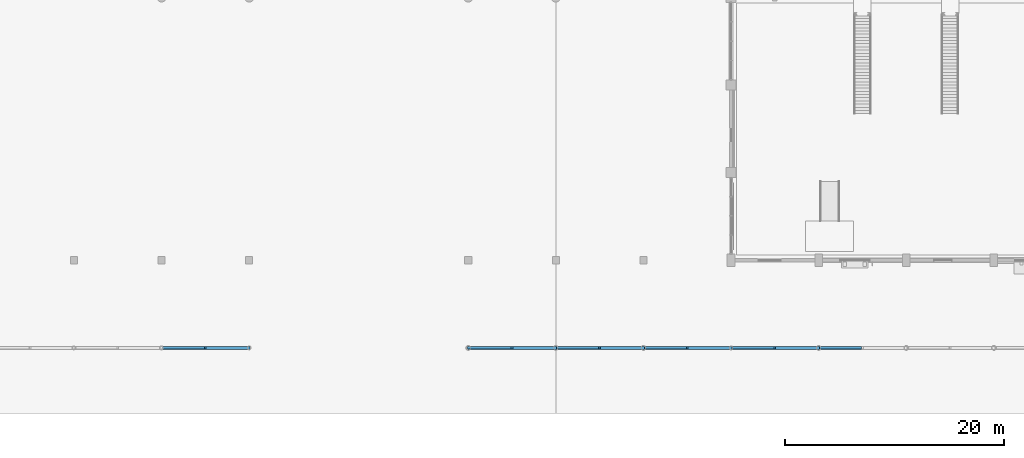
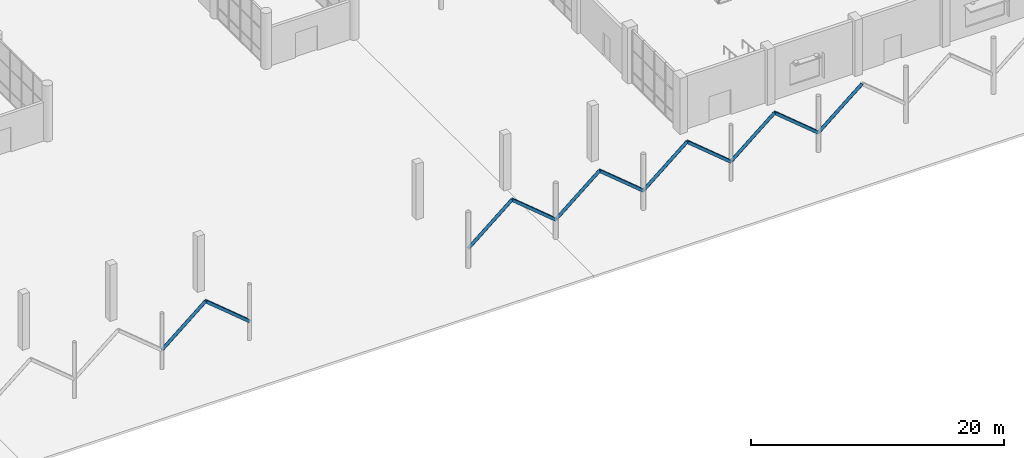
# One storey, part 26 of 123: 11 members.
"""IFC4 building model written with IfcOpenShell, lengths in metres."""

from ifc_helpers import new_model, si_unit, direction, frame, origin, origin_2d, place, context, subcontext, project, spatial, hollow_rectangle, hollow_circle, extrude, material, material_profile, profile_set, type_object, element, save


model = new_model("IFC4")

# Units and contexts
model_context = context("Model", 3, precision=1e-05, world=origin(), true_north=direction((0.0, 1.0)))
body_context = subcontext(model_context, "Body", "Model", "MODEL_VIEW")
ifc_project = project(units=[si_unit("LENGTHUNIT", "METRE"), si_unit("AREAUNIT", "SQUARE_METRE"), si_unit("VOLUMEUNIT", "CUBIC_METRE"), si_unit("PLANEANGLEUNIT", "RADIAN"), si_unit("MASSUNIT", "GRAM", prefix="KILO")], contexts=[model_context])

# Site, building, storey
site_placement = place(None, origin())
site = spatial("IfcSite", under=ifc_project, at=site_placement, CompositionType="ELEMENT")
building_placement = place(site_placement, origin())
building = spatial("IfcBuilding", under=site, at=building_placement, Name="Tenunan Teduh Sports Hall", CompositionType="ELEMENT")
storey_placement = place(building_placement, origin())
storey = spatial("IfcBuildingStorey", under=building, at=storey_placement, Name="L00", CompositionType="ELEMENT", Elevation=0.0)

# Members
ifc_material_1 = material(Name="Steel S355", Category="steel")
ifc_material_profile_1 = material_profile(ifc_material_1, hollow_circle(Radius=0.136474609375, WallThickness=0.010009765625, at=origin_2d()), Name="CHS 273.0x10.0")
ifc_profile_set_1 = profile_set([ifc_material_profile_1], Name="Steel S355")
member_type_1 = type_object("IfcMemberType", Name="MEM-ST-CHS273", PredefinedType="STRUT", material=ifc_profile_set_1)
for number, where, z_axis, x_axis, name in (
    (1, (70.0, 6.0, 1.800048828125), (0.76947477025, 0.0, 0.638677209511), (0.0, 1.0, 0.0), "MEM-VS-04-L00-0970"),
    (2, (98.0, 6.0, 1.800048828125), (0.76947477025, 0.0, 0.638677209511), (0.0, 1.0, 0.0), "MEM-VS-04-L00-0975"),
    (3, (106.0, 6.0, 1.800048828125), (0.76947477025, 0.0, 0.638677209511), (0.0, 1.0, 0.0), "MEM-VS-04-L00-0980"),
    (4, (114.0, 6.0, 1.800048828125), (0.76947477025, 0.0, 0.638677209511), (0.0, 1.0, 0.0), "MEM-VS-04-L00-0985"),
    (5, (122.0, 6.0, 1.800048828125), (0.76947477025, 0.0, 0.638677209511), (0.0, 1.0, 0.0), "MEM-VS-04-L00-0990"),
    (6, (130.0, 6.0, 1.800048828125), (0.76947477025, 0.0, 0.638677209511), (0.0, 1.0, 0.0), "MEM-VS-04-L00-0995"),
):
    element("IfcMember", number, at=place(storey_placement, frame(where, z_axis=z_axis, x_axis=x_axis)), inside=storey, type_object=member_type_1, Name=name, PredefinedType="STRUT", context=body_context, shape_type="SweptSolid", body=[
        extrude(hollow_circle(Radius=0.136474609375, WallThickness=0.010009765625, at=origin_2d()), origin(), (0.0, 0.0, 1.0), 5.1982421875),
    ])
ifc_material_2 = material(Name="Steel S355", Category="steel")
ifc_material_profile_2 = material_profile(ifc_material_2, hollow_rectangle(XDim=0.25, YDim=0.25, WallThickness=0.012451171875, at=origin_2d()), Name="SHS 250x250x12.5")
ifc_profile_set_2 = profile_set([ifc_material_profile_2], Name="Steel S355")
member_type_2 = type_object("IfcMemberType", Name="MEM-ST-SHS250", PredefinedType="STRUT", material=ifc_profile_set_2)
for number, where, z_axis, x_axis, name in (
    (7, (78.0, 6.0, 1.800048828125), (-0.76947477025, 0.0, 0.638677209511), (0.0, -1.0, 0.0), "MEM-VS-01-L00-0971"),
    (8, (106.0, 6.0, 1.800048828125), (-0.76947477025, 0.0, 0.638677209511), (0.0, -1.0, 0.0), "MEM-VS-01-L00-0976"),
    (9, (114.0, 6.0, 1.800048828125), (-0.76947477025, 0.0, 0.638677209511), (0.0, -1.0, 0.0), "MEM-VS-01-L00-0981"),
    (10, (122.0, 6.0, 1.800048828125), (-0.76947477025, 0.0, 0.638677209511), (0.0, -1.0, 0.0), "MEM-VS-01-L00-0986"),
    (11, (130.0, 6.0, 1.800048828125), (-0.76947477025, 0.0, 0.638677209511), (0.0, -1.0, 0.0), "MEM-VS-01-L00-0991"),
):
    element("IfcMember", number, at=place(storey_placement, frame(where, z_axis=z_axis, x_axis=x_axis)), inside=storey, type_object=member_type_2, Name=name, PredefinedType="STRUT", context=body_context, shape_type="SweptSolid", body=[
        extrude(hollow_rectangle(XDim=0.25, YDim=0.25, WallThickness=0.012451171875, at=origin_2d()), origin(), (0.0, 0.0, 1.0), 5.1982421875),
    ])

save(model, "model.ifc")
